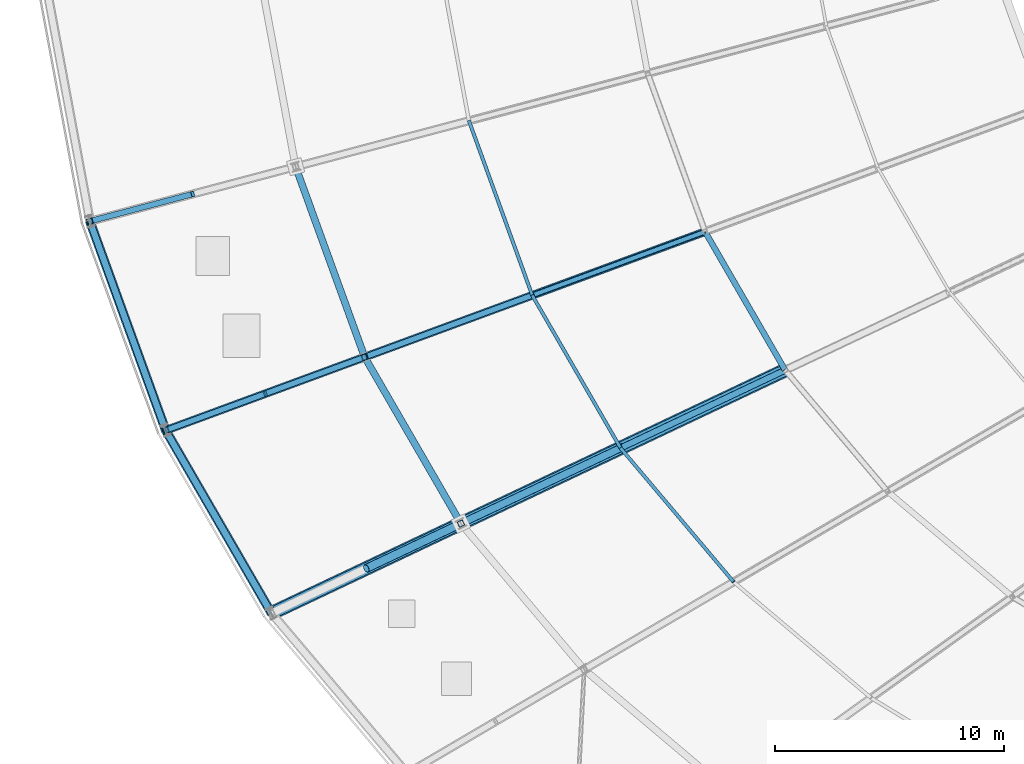
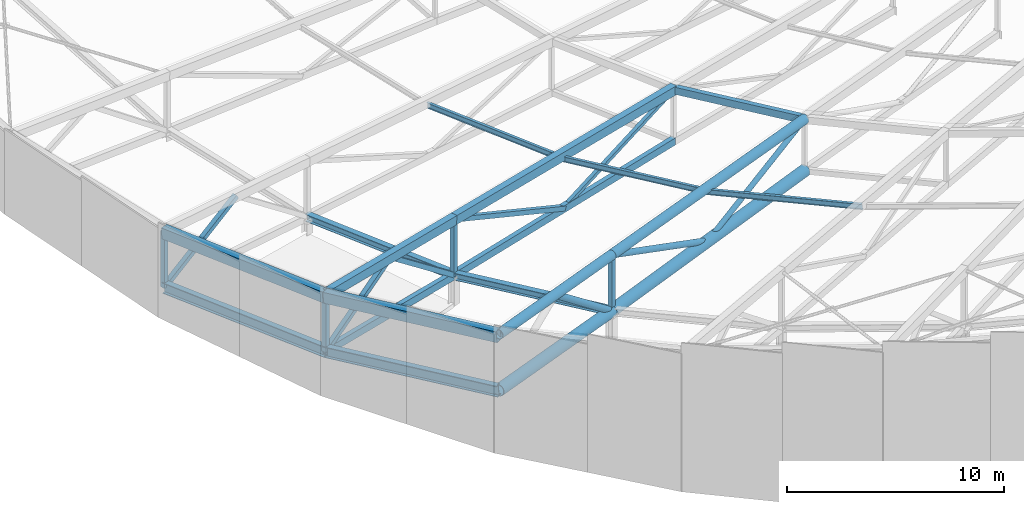
# One storey, part 22 of 143: 15 beams, 15 members.
"""IFC4 building model written with IfcOpenShell, lengths in metres."""

import ifcopenshell
import ifcopenshell.guid

model = None  # the IFC model being written
_history = None  # IfcOwnerHistory: only IFC2X3 demands one
_inside = {}  # id of a spatial element -> (the spatial element, [elements in it])
_under = {}  # id of a project, library or spatial element -> (it, [spatial elements below it])
_declared = {}  # id of a project -> (the project, [libraries it declares])
_typed = {}  # id of a type object -> (the type object, [elements of that type])
_made_of = {}  # id of a material, layer set ... -> (it, [elements and type objects made of it])


def new_model(schema):
    """Start an empty IFC model of exactly this schema.

    Asked for "IFC4X3", IfcOpenShell would pick the latest addendum, in which some entities
    have other attributes; the version numbers below select the first issue.
    IFC2X3 requires an IfcOwnerHistory on every rooted entity: one is made here for all.
    """
    global model, _history
    if schema == "IFC4X3":
        model = ifcopenshell.file(schema_version=(4, 3, 0, 0))
    else:
        model = ifcopenshell.file(schema=schema)
    _inside.clear()
    _under.clear()
    _declared.clear()
    _typed.clear()
    _made_of.clear()
    _history = None
    if model.schema == "IFC2X3":
        org = make("IfcOrganization", Name="unknown")
        user = make(
            "IfcPersonAndOrganization",
            ThePerson=make("IfcPerson", FamilyName="unknown"),
            TheOrganization=org,
        )
        app = make(
            "IfcApplication",
            ApplicationDeveloper=org,
            Version="unknown",
            ApplicationFullName="unknown",
            ApplicationIdentifier="unknown",
        )
        _history = make(
            "IfcOwnerHistory",
            OwningUser=user,
            OwningApplication=app,
            ChangeAction="ADDED",
            CreationDate=0,
        )
    return model


def make(cls, **values):
    """One entity of the class cls with the attributes given. An attribute that is None is left unset."""
    return model.create_entity(
        cls, **{name: value for name, value in values.items() if value is not None}
    )


def rooted(cls, **values):
    """An entity with a GlobalId (a new one), such as an element, a storey or a relation."""
    return make(cls, GlobalId=ifcopenshell.guid.new(), OwnerHistory=_history, **values)


def si_unit(unit_type, name, prefix=None):
    """IfcSIUnit, for example si_unit("LENGTHUNIT", "METRE", prefix="MILLI")."""
    return make("IfcSIUnit", UnitType=unit_type, Prefix=prefix, Name=name)


def assignment(units):
    """IfcUnitAssignment: the units of a project."""
    return None if units is None else make("IfcUnitAssignment", Units=units)


def point(xyz):
    """IfcCartesianPoint."""
    return None if xyz is None else make("IfcCartesianPoint", Coordinates=xyz)


def direction(xyz):
    """IfcDirection."""
    return None if xyz is None else make("IfcDirection", DirectionRatios=xyz)


def frame(location, z_axis=None, x_axis=None):
    """IfcAxis2Placement3D, a coordinate frame: its origin and axes. An axis left out is left unset."""
    return make(
        "IfcAxis2Placement3D",
        Location=point(location),
        Axis=direction(z_axis),
        RefDirection=direction(x_axis),
    )


def frame_2d(location, x_axis=None):
    """IfcAxis2Placement2D, a coordinate frame in the plane: its origin and x axis."""
    return make(
        "IfcAxis2Placement2D", Location=point(location), RefDirection=direction(x_axis)
    )


def origin():
    """The frame at (0, 0, 0) with its axes left unset."""
    return frame((0.0, 0.0, 0.0))


def origin_2d():
    """The frame at (0, 0) in the plane with its x axis left unset."""
    return frame_2d((0.0, 0.0))


def place(relative_to, where):
    """IfcLocalPlacement: puts the frame where relative to a parent placement (None: the world)."""
    return make(
        "IfcLocalPlacement", PlacementRelTo=relative_to, RelativePlacement=where
    )


def context(
    kind, dimensions, precision=None, world=None, true_north=None, identifier=None
):
    """IfcGeometricRepresentationContext, for example the 3D "Model" context."""
    return make(
        "IfcGeometricRepresentationContext",
        ContextIdentifier=identifier,
        ContextType=kind,
        CoordinateSpaceDimension=dimensions,
        Precision=precision,
        WorldCoordinateSystem=world,
        TrueNorth=true_north,
    )


def subcontext(parent, identifier, kind, view, scale=None):
    """IfcGeometricRepresentationSubContext, for example "Body" below "Model"."""
    return make(
        "IfcGeometricRepresentationSubContext",
        ContextIdentifier=identifier,
        ContextType=kind,
        ParentContext=parent,
        TargetScale=scale,
        TargetView=view,
    )


def project(units=None, contexts=None):
    """IfcProject with its units and contexts."""
    return rooted(
        "IfcProject",
        Name="project",
        RepresentationContexts=contexts,
        UnitsInContext=assignment(units),
    )


def spatial(cls, under=None, at=None, **own):
    """A site, building, storey or space (cls), placed at a placement, below another one or the project."""
    s = rooted(cls, ObjectPlacement=at, **own)
    if under is not None:
        _under.setdefault(under.id(), (under, []))[1].append(s)
    return s


def profile(cls, at=None, kind="AREA", **sizes):
    """A parametric profile (cls). Its sizes go by their IFC names, for example OverallWidth=200.0."""
    return make(cls, ProfileType=kind, Position=at, **sizes)


def hollow_rectangle(**sizes):
    """IfcRectangleHollowProfileDef."""
    return profile("IfcRectangleHollowProfileDef", **sizes)


def hollow_circle(**sizes):
    """IfcCircleHollowProfileDef."""
    return profile("IfcCircleHollowProfileDef", **sizes)


def i_section(**sizes):
    """IfcIShapeProfileDef."""
    return profile("IfcIShapeProfileDef", **sizes)


def extrude(swept, where, along, depth):
    """IfcExtrudedAreaSolid: the profile swept, set in the frame where, extruded along a direction by depth."""
    return make(
        "IfcExtrudedAreaSolid",
        SweptArea=swept,
        Position=where,
        ExtrudedDirection=direction(along),
        Depth=depth,
    )


def shape(context_of_items, identifier, shape_type, items):
    """IfcShapeRepresentation: the items that make up one representation, for example the "Body"."""
    return make(
        "IfcShapeRepresentation",
        ContextOfItems=context_of_items,
        RepresentationIdentifier=identifier,
        RepresentationType=shape_type,
        Items=items,
    )


def material(Name=None, Category=None):
    """IfcMaterial."""
    return make("IfcMaterial", Name=Name, Category=Category)


def material_profile(
    of_material, cross_section, Name=None, Category=None, Priority=None
):
    """IfcMaterialProfile: a cross section and its material."""
    return make(
        "IfcMaterialProfile",
        Name=Name,
        Material=of_material,
        Profile=cross_section,
        Priority=Priority,
        Category=Category,
    )


def profile_set(profiles, Name=None, composite=None):
    """IfcMaterialProfileSet."""
    return make(
        "IfcMaterialProfileSet",
        Name=Name,
        MaterialProfiles=profiles,
        CompositeProfile=composite,
    )


def made_of(thing, what):
    """Note that an element or type object is made of a material, layer set ...; save() writes the relation."""
    if what is not None:
        _made_of.setdefault(what.id(), (what, []))[1].append(thing)
    return thing


def type_object(cls, material=None, **own):
    """A type object (cls), such as IfcWallType, which elements share."""
    return made_of(rooted(cls, **own), material)


def element(
    cls,
    number,
    at=None,
    inside=None,
    cuts=None,
    type_object=None,
    material=None,
    context=None,
    identifier="Body",
    shape_type=None,
    held_by="IfcProductDefinitionShape",
    body=None,
    shapes=None,
    **own,
):
    """One element of the class cls, such as IfcWall. Its Tag is "e" and its number.

    at: its placement. inside: the storey or other place that contains it. cuts: it is an
    opening in that element (IfcRelVoidsElement). A single representation is given by context,
    identifier, shape_type and body (its items); several are given by shapes. held_by: the class
    of the entity that holds the representations. save() writes the other relations.
    """
    e = rooted(cls, Tag="e%d" % number, ObjectPlacement=at, **own)
    if body is not None:
        shapes = [shape(context, identifier, shape_type, body)]
    if shapes is not None:
        e.Representation = make(held_by, Representations=shapes)
    if inside is not None:
        _inside.setdefault(inside.id(), (inside, []))[1].append(e)
    if cuts is not None:
        rooted(
            "IfcRelVoidsElement", RelatingBuildingElement=cuts, RelatedOpeningElement=e
        )
    if type_object is not None:
        _typed.setdefault(type_object.id(), (type_object, []))[1].append(e)
    return made_of(e, material)


def aggregate(whole, parts):
    """IfcRelAggregates: a whole, such as a stair, and the parts it consists of."""
    return rooted("IfcRelAggregates", RelatingObject=whole, RelatedObjects=parts)


def save(model, path):
    """Write the relations noted so far, then the file.

    IfcRelAggregates (storeys below a building ...), IfcRelContainedInSpatialStructure (elements
    in a storey), IfcRelDefinesByType, IfcRelAssociatesMaterial and IfcRelDeclares: one each for
    every whole, place, type object, material and project.
    """
    for whole, parts in _under.values():
        aggregate(whole, parts)
    for where, things in _inside.values():
        rooted(
            "IfcRelContainedInSpatialStructure",
            RelatedElements=things,
            RelatingStructure=where,
        )
    for kind, things in _typed.values():
        rooted("IfcRelDefinesByType", RelatedObjects=things, RelatingType=kind)
    for what, things in _made_of.values():
        rooted("IfcRelAssociatesMaterial", RelatedObjects=things, RelatingMaterial=what)
    for by, libraries in _declared.values():
        rooted("IfcRelDeclares", RelatingContext=by, RelatedDefinitions=libraries)
    model.write(path)


model = new_model("IFC4")

# Units and contexts
model_context = context("Model", 3, precision=1e-05, world=origin(), true_north=direction((0.0, 1.0)))
body_context = subcontext(model_context, "Body", "Model", "MODEL_VIEW")
ifc_project = project(units=[si_unit("LENGTHUNIT", "METRE"), si_unit("AREAUNIT", "SQUARE_METRE"), si_unit("VOLUMEUNIT", "CUBIC_METRE"), si_unit("PLANEANGLEUNIT", "RADIAN"), si_unit("MASSUNIT", "GRAM", prefix="KILO")], contexts=[model_context])

# Site, building, storey
site_placement = place(None, origin())
site = spatial("IfcSite", under=ifc_project, at=site_placement, CompositionType="ELEMENT")
building_placement = place(site_placement, origin())
building = spatial("IfcBuilding", under=site, at=building_placement, Name="Mphavela Belvedere Stadium", CompositionType="ELEMENT")
storey_placement = place(building_placement, frame((0.0, 0.0, 28.800048828125)))
storey = spatial("IfcBuildingStorey", under=building, at=storey_placement, Name="RF", CompositionType="ELEMENT", Elevation=28.800048828125)

# Beams
ifc_material_1 = material(Name="Steel S355", Category="steel")
ifc_material_profile_1 = material_profile(ifc_material_1, hollow_rectangle(XDim=0.25, YDim=0.39990234375, WallThickness=0.01611328125, at=origin_2d()), Name="RHS 400x250x16")
ifc_profile_set_1 = profile_set([ifc_material_profile_1], Name="Steel S355")
beam_type_1 = type_object("IfcBeamType", Name="BM-RING-MID", PredefinedType="BEAM", material=ifc_profile_set_1)
beam_1_placement = place(storey_placement, frame((41.672607421875, 59.98583984375, 3.554443359375), z_axis=(0.497680338118, -0.860704872165, 0.107244599316), x_axis=(0.865697638818, 0.500567276343, 0.0)))
element("IfcBeam", 1, at=beam_1_placement, inside=storey, type_object=beam_type_1, Name="Intermediate roof ring beam RB-MID-28", PredefinedType="BEAM", context=body_context, shape_type="SweptSolid", body=[
    extrude(hollow_rectangle(XDim=0.25, YDim=0.39990234375, WallThickness=0.01611328125, at=origin_2d()), origin(), (0.0, 0.0, 1.0), 7.018310546875),
])
ifc_material_2 = material(Name="Steel S355", Category="steel")
ifc_material_profile_2 = material_profile(ifc_material_2, hollow_rectangle(XDim=0.39990234375, YDim=0.60009765625, WallThickness=0.02001953125, at=origin_2d()), Name="RHS 600x400x20")
ifc_profile_set_2 = profile_set([ifc_material_profile_2], Name="Steel S355")
beam_type_2 = type_object("IfcBeamType", Name="BM-RING-OUT", PredefinedType="BEAM", material=ifc_profile_set_2)
beam_2_placement = place(storey_placement, frame((14.83544921875, 60.4375, 4.649169921875), z_axis=(0.339968578653, -0.93716524652, 0.078375163435), x_axis=(0.94005692197, 0.341017570596, 0.0)))
element("IfcBeam", 2, at=beam_2_placement, inside=storey, type_object=beam_type_2, Name="Perimeter compression ring beam RB-OUT-27", PredefinedType="BEAM", context=body_context, shape_type="SweptSolid", body=[
    extrude(hollow_rectangle(XDim=0.39990234375, YDim=0.60009765625, WallThickness=0.02001953125, at=origin_2d()), origin(), (0.0, 0.0, 1.0), 9.7314453125),
])
beam_3_placement = place(storey_placement, frame((18.143798828125, 51.317626953125, 5.411865234375), z_axis=(0.49767882815, -0.8607068018, 0.107236119601), x_axis=(0.865698783248, 0.500565297122, 0.0)))
element("IfcBeam", 3, at=beam_3_placement, inside=storey, type_object=beam_type_2, Name="Perimeter compression ring beam RB-OUT-28", PredefinedType="BEAM", context=body_context, shape_type="SweptSolid", body=[
    extrude(hollow_rectangle(XDim=0.39990234375, YDim=0.60009765625, WallThickness=0.02001953125, at=origin_2d()), origin(), (0.0, 0.0, 1.0), 9.2705078125),
])
ifc_material_3 = material(Name="Steel S355", Category="steel")
ifc_material_profile_3 = material_profile(ifc_material_3, i_section(OverallWidth=0.300048828125, OverallDepth=0.39990234375, WebThickness=0.013427734375, FlangeThickness=0.02392578125, at=origin_2d()), Name="HEB 400")
ifc_profile_set_3 = profile_set([ifc_material_profile_3], Name="Steel S355")
beam_type_3 = type_object("IfcBeamType", Name="BM-STEEL-HEB400", PredefinedType="BEAM", material=ifc_profile_set_3)
beam_4_placement = place(storey_placement, frame((23.8125, 62.818115234375, 0.916748046875), z_axis=(0.339980753487, -0.937158586677, 0.07840198133), x_axis=(0.940052229987, 0.341030504348, 0.0)))
element("IfcBeam", 4, at=beam_4_placement, inside=storey, type_object=beam_type_3, Name="Roof bottom-chord tie girder R3-27", PredefinedType="BEAM", context=body_context, shape_type="SweptSolid", body=[
    extrude(i_section(OverallWidth=0.300048828125, OverallDepth=0.39990234375, WebThickness=0.013427734375, FlangeThickness=0.02392578125, at=origin_2d()), origin(), (0.0, 0.0, 1.0), 8.859130859375),
])
beam_5_placement = place(storey_placement, frame((26.824462890625, 54.515625, 1.611328125), z_axis=(0.497661073129, -0.860716730152, 0.107238830325), x_axis=(0.865709023765, 0.500547586322, 0.0)))
element("IfcBeam", 5, at=beam_5_placement, inside=storey, type_object=beam_type_3, Name="Roof bottom-chord tie girder R3-28", PredefinedType="BEAM", context=body_context, shape_type="SweptSolid", body=[
    extrude(i_section(OverallWidth=0.300048828125, OverallDepth=0.39990234375, WebThickness=0.013427734375, FlangeThickness=0.02392578125, at=origin_2d()), origin(), (0.0, 0.0, 1.0), 8.439453125),
])
ifc_material_4 = material(Name="Steel S355", Category="steel")
ifc_material_profile_4 = material_profile(ifc_material_4, i_section(OverallWidth=0.300048828125, OverallDepth=0.60009765625, WebThickness=0.015380859375, FlangeThickness=0.030029296875, at=origin_2d()), Name="HEB 600")
ifc_profile_set_4 = profile_set([ifc_material_profile_4], Name="Steel S355")
beam_type_4 = type_object("IfcBeamType", Name="BM-STEEL-HEB600", PredefinedType="BEAM", material=ifc_profile_set_4)
beam_6_placement = place(storey_placement, frame((14.83544921875, 60.4375, 1.553955078125), z_axis=(0.339967910074, -0.937163403499, 0.078400097335), x_axis=(0.94005692197, 0.341017570596, 0.0)))
element("IfcBeam", 6, at=beam_6_placement, inside=storey, type_object=beam_type_4, Name="Roof bottom-chord tie girder R4-27", PredefinedType="BEAM", context=body_context, shape_type="SweptSolid", body=[
    extrude(i_section(OverallWidth=0.300048828125, OverallDepth=0.60009765625, WebThickness=0.015380859375, FlangeThickness=0.030029296875, at=origin_2d()), origin(), (0.0, 0.0, 1.0), 9.7314453125),
])
beam_7_placement = place(storey_placement, frame((18.143798828125, 51.317626953125, 2.31689453125), z_axis=(0.49767882815, -0.8607068018, 0.107236119601), x_axis=(0.865698783248, 0.500565297122, 0.0)))
element("IfcBeam", 7, at=beam_7_placement, inside=storey, type_object=beam_type_4, Name="Roof bottom-chord tie girder R4-28", PredefinedType="BEAM", context=body_context, shape_type="SweptSolid", body=[
    extrude(i_section(OverallWidth=0.300048828125, OverallDepth=0.60009765625, WebThickness=0.015380859375, FlangeThickness=0.030029296875, at=origin_2d()), origin(), (0.0, 0.0, 1.0), 9.2705078125),
])
ifc_material_5 = material(Name="Steel S355", Category="steel")
ifc_material_profile_5 = material_profile(ifc_material_5, hollow_circle(Radius=0.304931640625, WallThickness=0.02490234375, at=origin_2d()), Name="CHS 610x25")
ifc_profile_set_5 = profile_set([ifc_material_profile_5], Name="Steel S355")
beam_type_5 = type_object("IfcBeamType", Name="BM-TRUSS-BC1", PredefinedType="BEAM", material=ifc_profile_set_5)
beam_8_placement = place(storey_placement, frame((22.757568359375, 43.33837890625, 3.31103515625), z_axis=(0.900453046882, 0.426253267431, -0.086559010886), x_axis=(-0.427859140325, 0.903845427073, 0.0)))
element("IfcBeam", 8, at=beam_8_placement, inside=storey, type_object=beam_type_5, Name="Radial roof truss RT-29 bottom chord 1", PredefinedType="BEAM", context=body_context, shape_type="SweptSolid", body=[
    extrude(hollow_circle(Radius=0.304931640625, WallThickness=0.02490234375, at=origin_2d()), origin(), (0.0, 0.0, 1.0), 9.1806640625),
])
beam_9_placement = place(storey_placement, frame((31.0244140625, 47.251708984375, 2.516357421875), z_axis=(0.901600208715, 0.426750998276, -0.070715267915), x_axis=(-0.427822032856, 0.903862991942, 0.0)))
element("IfcBeam", 9, at=beam_9_placement, inside=storey, type_object=beam_type_5, Name="Radial roof truss RT-29 bottom chord 2", PredefinedType="BEAM", context=body_context, shape_type="SweptSolid", body=[
    extrude(hollow_circle(Radius=0.304931640625, WallThickness=0.02490234375, at=origin_2d()), origin(), (0.0, 0.0, 1.0), 15.6845703125),
])
ifc_material_6 = material(Name="Steel S355", Category="steel")
ifc_material_profile_6 = material_profile(ifc_material_6, hollow_rectangle(XDim=0.25, YDim=0.39990234375, WallThickness=0.01611328125, at=origin_2d()), Name="RHS 400x250x16")
ifc_profile_set_6 = profile_set([ifc_material_profile_6], Name="Steel S355")
beam_type_6 = type_object("IfcBeamType", Name="BM-TRUSS-BC2", PredefinedType="BEAM", material=ifc_profile_set_6)
beam_10_placement = place(storey_placement, frame((18.143798828125, 51.317626953125, 2.31689453125), z_axis=(0.935630744709, 0.344690829254, -0.076048285865), x_axis=(-0.345691905967, 0.938348073025, 0.0)))
element("IfcBeam", 10, at=beam_10_placement, inside=storey, type_object=beam_type_6, Name="Radial roof truss RT-28 bottom chord 1", PredefinedType="BEAM", context=body_context, shape_type="SweptSolid", body=[
    extrude(hollow_rectangle(XDim=0.25, YDim=0.39990234375, WallThickness=0.01611328125, at=origin_2d()), origin(), (0.0, 0.0, 1.0), 9.27783203125),
])
beam_11_placement = place(storey_placement, frame((26.824462890625, 54.515625, 1.611328125), z_axis=(0.936635644943, 0.345066563527, -0.060355077321), x_axis=(-0.345696778918, 0.938346277792, 0.0)))
element("IfcBeam", 11, at=beam_11_placement, inside=storey, type_object=beam_type_6, Name="Radial roof truss RT-28 bottom chord 2", PredefinedType="BEAM", context=body_context, shape_type="SweptSolid", body=[
    extrude(hollow_rectangle(XDim=0.25, YDim=0.39990234375, WallThickness=0.01611328125, at=origin_2d()), origin(), (0.0, 0.0, 1.0), 15.8525390625),
])
ifc_material_7 = material(Name="Steel S355", Category="steel")
ifc_material_profile_7 = material_profile(ifc_material_7, hollow_circle(Radius=0.25390625, WallThickness=0.02490234375, at=origin_2d()), Name="CHS 508x25")
ifc_profile_set_7 = profile_set([ifc_material_profile_7], Name="Steel S355")
beam_type_7 = type_object("IfcBeamType", Name="BM-TRUSS-TC1", PredefinedType="BEAM", material=ifc_profile_set_7)
beam_12_placement = place(storey_placement, frame((22.757568359375, 43.33837890625, 6.4609375), z_axis=(0.900453046882, 0.426253267431, -0.086559010886), x_axis=(-0.427859140325, 0.903845427073, 0.0)))
element("IfcBeam", 12, at=beam_12_placement, inside=storey, type_object=beam_type_7, Name="Radial roof truss RT-29 top chord 1", PredefinedType="BEAM", context=body_context, shape_type="SweptSolid", body=[
    extrude(hollow_circle(Radius=0.25390625, WallThickness=0.02490234375, at=origin_2d()), origin(), (0.0, 0.0, 1.0), 9.1806640625),
])
beam_13_placement = place(storey_placement, frame((31.0244140625, 47.251708984375, 5.666259765625), z_axis=(0.900471557022, 0.426216777862, -0.086546133731), x_axis=(-0.427822032856, 0.903862991942, 0.0)))
element("IfcBeam", 13, at=beam_13_placement, inside=storey, type_object=beam_type_7, Name="Radial roof truss RT-29 top chord 2", PredefinedType="BEAM", context=body_context, shape_type="SweptSolid", body=[
    extrude(hollow_circle(Radius=0.25390625, WallThickness=0.02490234375, at=origin_2d()), origin(), (0.0, 0.0, 1.0), 15.7041015625),
])
ifc_material_8 = material(Name="Steel S355", Category="steel")
ifc_material_profile_8 = material_profile(ifc_material_8, hollow_rectangle(XDim=0.35009765625, YDim=0.5, WallThickness=0.02001953125, at=origin_2d()), Name="RHS 500x350x20")
ifc_profile_set_8 = profile_set([ifc_material_profile_8], Name="Steel S355")
beam_type_8 = type_object("IfcBeamType", Name="BM-TRUSS-TC2", PredefinedType="BEAM", material=ifc_profile_set_8)
beam_14_placement = place(storey_placement, frame((18.143798828125, 51.317626953125, 5.466796875), z_axis=(0.935630744709, 0.344690829254, -0.076048285865), x_axis=(-0.345691905967, 0.938348073025, 0.0)))
element("IfcBeam", 14, at=beam_14_placement, inside=storey, type_object=beam_type_8, Name="Radial roof truss RT-28 top chord 1", PredefinedType="BEAM", context=body_context, shape_type="SweptSolid", body=[
    extrude(hollow_rectangle(XDim=0.35009765625, YDim=0.5, WallThickness=0.02001953125, at=origin_2d()), origin(), (0.0, 0.0, 1.0), 9.27783203125),
])
beam_15_placement = place(storey_placement, frame((26.824462890625, 54.515625, 4.76123046875), z_axis=(0.935629294796, 0.344695813397, -0.076043533233), x_axis=(-0.345696778918, 0.938346277792, 0.0)))
element("IfcBeam", 15, at=beam_15_placement, inside=storey, type_object=beam_type_8, Name="Radial roof truss RT-28 top chord 2", PredefinedType="BEAM", context=body_context, shape_type="SweptSolid", body=[
    extrude(hollow_rectangle(XDim=0.35009765625, YDim=0.5, WallThickness=0.02001953125, at=origin_2d()), origin(), (0.0, 0.0, 1.0), 15.86962890625),
])

# Members
ifc_material_9 = material(Name="Steel S355", Category="steel")
ifc_material_profile_9 = material_profile(ifc_material_9, hollow_circle(Radius=0.136474609375, WallThickness=0.012451171875, at=origin_2d()), Name="CHS 273x12.5")
ifc_profile_set_9 = profile_set([ifc_material_profile_9], Name="Steel S355")
member_type_1 = type_object("IfcMemberType", Name="MEM-DIAG-273", PredefinedType="BRACE", material=ifc_profile_set_9)
member_1_placement = place(storey_placement, frame((38.094970703125, 50.598388671875, 1.961669921875), z_axis=(0.86578394162, 0.40979822077, 0.287199555511), x_axis=(-0.427822032856, 0.903862991942, 0.0)))
element("IfcMember", 16, at=member_1_placement, inside=storey, type_object=member_type_1, Name="Radial roof truss RT-29 web diagonal D4", PredefinedType="BRACE", context=body_context, shape_type="SweptSolid", body=[
    extrude(hollow_circle(Radius=0.136474609375, WallThickness=0.012451171875, at=origin_2d()), origin(), (0.0, 0.0, 1.0), 8.166748046875),
])
ifc_material_10 = material(Name="Steel S355", Category="steel")
ifc_material_profile_10 = material_profile(ifc_material_10, hollow_circle(Radius=0.161865234375, WallThickness=0.01611328125, at=origin_2d()), Name="CHS 323.9x16")
ifc_profile_set_10 = profile_set([ifc_material_profile_10], Name="Steel S355")
member_type_2 = type_object("IfcMemberType", Name="MEM-DIAG-324", PredefinedType="BRACE", material=ifc_profile_set_10)
member_2_placement = place(storey_placement, frame((31.0244140625, 47.251708984375, 5.666259765625), z_axis=(0.816889573167, 0.386655235281, -0.428006021313), x_axis=(-0.427822032856, 0.903862991942, 0.0)))
element("IfcMember", 17, at=member_2_placement, inside=storey, type_object=member_type_2, Name="Radial roof truss RT-29 web diagonal D3", PredefinedType="BRACE", context=body_context, shape_type="SweptSolid", body=[
    extrude(hollow_circle(Radius=0.161865234375, WallThickness=0.01611328125, at=origin_2d()), origin(), (0.0, 0.0, 1.0), 8.655517578125),
])
ifc_material_11 = material(Name="Steel S355", Category="steel")
ifc_material_profile_11 = material_profile(ifc_material_11, hollow_circle(Radius=0.177734375, WallThickness=0.01611328125, at=origin_2d()), Name="CHS 355.6x16")
ifc_profile_set_11 = profile_set([ifc_material_profile_11], Name="Steel S355")
member_type_3 = type_object("IfcMemberType", Name="MEM-DIAG-355", PredefinedType="BRACE", material=ifc_profile_set_11)
member_3_placement = place(storey_placement, frame((26.89111328125, 45.295166015625, 6.063720703125), z_axis=(0.714168011472, 0.338059211101, -0.612927419178), x_axis=(-0.427847656152, 0.903850863321, 0.0)))
element("IfcMember", 18, at=member_3_placement, inside=storey, type_object=member_type_3, Name="Radial roof truss RT-29 web diagonal D2", PredefinedType="BRACE", context=body_context, shape_type="SweptSolid", body=[
    extrude(hollow_circle(Radius=0.177734375, WallThickness=0.01611328125, at=origin_2d()), origin(), (0.0, 0.0, 1.0), 5.78759765625),
])
ifc_material_12 = material(Name="Steel S355", Category="steel")
ifc_material_profile_12 = material_profile(ifc_material_12, hollow_rectangle(XDim=0.199951171875, YDim=0.199951171875, WallThickness=0.010009765625, at=origin_2d()), Name="SHS 200x200x10")
ifc_profile_set_12 = profile_set([ifc_material_profile_12], Name="Steel S355")
member_type_4 = type_object("IfcMemberType", Name="MEM-POST-SHS200", PredefinedType="POST", material=ifc_profile_set_12)
member_4_placement = place(storey_placement, frame((34.24853515625, 57.250732421875, 1.133056640625), z_axis=(0.897266150481, 0.330562421778, 0.292646442845), x_axis=(-0.345696778918, 0.938346277792, 0.0)))
element("IfcMember", 19, at=member_4_placement, inside=storey, type_object=member_type_4, Name="Radial roof truss RT-28 web diagonal D4", PredefinedType="POST", context=body_context, shape_type="SweptSolid", body=[
    extrude(hollow_rectangle(XDim=0.199951171875, YDim=0.199951171875, WallThickness=0.010009765625, at=origin_2d()), origin(), (0.0, 0.0, 1.0), 8.274169921875),
])
ifc_material_13 = material(Name="Steel S355", Category="steel")
ifc_material_profile_13 = material_profile(ifc_material_13, hollow_rectangle(XDim=0.25, YDim=0.25, WallThickness=0.012451171875, at=origin_2d()), Name="SHS 250x250x12.5")
ifc_profile_set_13 = profile_set([ifc_material_profile_13], Name="Steel S355")
member_type_5 = type_object("IfcMemberType", Name="MEM-POST-SHS250", PredefinedType="POST", material=ifc_profile_set_13)
member_5_placement = place(storey_placement, frame((14.83544921875, 60.4375, 1.553955078125), z_axis=(0.0, 0.0, 1.0), x_axis=(-0.966600102017, -0.256289373133, 0.0)))
element("IfcMember", 20, at=member_5_placement, inside=storey, type_object=member_type_5, Name="Radial roof truss RT-27 post P1", PredefinedType="POST", context=body_context, shape_type="SweptSolid", body=[
    extrude(hollow_rectangle(XDim=0.25, YDim=0.25, WallThickness=0.012451171875, at=origin_2d()), origin(), (0.0, 0.0, 1.0), 3.150146484375),
])
member_6_placement = place(storey_placement, frame((14.83544921875, 60.4375, 1.553955078125), z_axis=(0.825271763283, 0.218830560022, 0.520614735412), x_axis=(-0.2563043837, 0.966596121912, 0.0)))
element("IfcMember", 21, at=member_6_placement, inside=storey, type_object=member_type_5, Name="Radial roof truss RT-27 web diagonal D1", PredefinedType="POST", context=body_context, shape_type="SweptSolid", body=[
    extrude(hollow_rectangle(XDim=0.25, YDim=0.25, WallThickness=0.012451171875, at=origin_2d()), origin(), (0.0, 0.0, 1.0), 5.43896484375),
])
for number, where, z_axis, x_axis, name in (
    (22, (18.143798828125, 51.317626953125, 2.31689453125), (0.0, 0.0, 1.0), (-0.938372433776, -0.34562577382, 0.0), "Radial roof truss RT-28 post P1"),
    (23, (26.824462890625, 54.515625, 1.611328125), (0.0, 0.0, 1.0), (-0.938372433776, -0.34562577382, 0.0), "Radial roof truss RT-28 post P2"),
):
    element("IfcMember", number, at=place(storey_placement, frame(where, z_axis=z_axis, x_axis=x_axis)), inside=storey, type_object=member_type_5, Name=name, PredefinedType="POST", context=body_context, shape_type="SweptSolid", body=[
        extrude(hollow_rectangle(XDim=0.25, YDim=0.25, WallThickness=0.012451171875, at=origin_2d()), origin(), (0.0, 0.0, 1.0), 3.14990234375),
    ])
member_7_placement = place(storey_placement, frame((18.143798828125, 51.317626953125, 2.31689453125), z_axis=(0.80294578517, 0.295831639828, 0.517456961452), x_axis=(-0.345715142592, 0.938339512214, 0.0)))
element("IfcMember", 24, at=member_7_placement, inside=storey, type_object=member_type_5, Name="Radial roof truss RT-28 web diagonal D1", PredefinedType="POST", context=body_context, shape_type="SweptSolid", body=[
    extrude(hollow_rectangle(XDim=0.25, YDim=0.25, WallThickness=0.012451171875, at=origin_2d()), origin(), (0.0, 0.0, 1.0), 5.405517578125),
])
member_8_placement = place(storey_placement, frame((22.484130859375, 52.916748046875, 5.114013671875), z_axis=(0.748069688663, 0.275571402354, -0.603698718823), x_axis=(-0.345668668705, 0.938356633416, 0.0)))
element("IfcMember", 25, at=member_8_placement, inside=storey, type_object=member_type_5, Name="Radial roof truss RT-28 web diagonal D2", PredefinedType="POST", context=body_context, shape_type="SweptSolid", body=[
    extrude(hollow_rectangle(XDim=0.25, YDim=0.25, WallThickness=0.012451171875, at=origin_2d()), origin(), (0.0, 0.0, 1.0), 5.802001953125),
])
member_9_placement = place(storey_placement, frame((26.824462890625, 54.515625, 4.76123046875), z_axis=(0.852939960364, 0.314232180472, -0.416835172185), x_axis=(-0.345696778918, 0.938346277792, 0.0)))
element("IfcMember", 26, at=member_9_placement, inside=storey, type_object=member_type_5, Name="Radial roof truss RT-28 web diagonal D3", PredefinedType="POST", context=body_context, shape_type="SweptSolid", body=[
    extrude(hollow_rectangle(XDim=0.25, YDim=0.25, WallThickness=0.012451171875, at=origin_2d()), origin(), (0.0, 0.0, 1.0), 8.7041015625),
])
member_10_placement = place(storey_placement, frame((31.0244140625, 47.251708984375, 2.516357421875), z_axis=(0.0, 0.0, 1.0), x_axis=(-0.903858661687, -0.4278311813, 0.0)))
element("IfcMember", 27, at=member_10_placement, inside=storey, type_object=member_type_5, Name="Radial roof truss RT-29 post P2", PredefinedType="POST", context=body_context, shape_type="SweptSolid", body=[
    extrude(hollow_rectangle(XDim=0.25, YDim=0.25, WallThickness=0.012451171875, at=origin_2d()), origin(), (0.0, 0.0, 1.0), 3.14990234375),
])
ifc_material_14 = material(Name="Steel S355", Category="steel")
ifc_material_profile_14 = material_profile(ifc_material_14, i_section(OverallWidth=0.14990234375, OverallDepth=0.300048828125, WebThickness=0.007080078125, FlangeThickness=0.0107421875, at=origin_2d()), Name="IPE 300")
ifc_profile_set_14 = profile_set([ifc_material_profile_14], Name="Steel S355")
member_type_6 = type_object("IfcMemberType", Name="MEM-PURLIN-IPE300", PredefinedType="PURLIN", material=ifc_profile_set_14)
member_11_placement = place(storey_placement, frame((31.3720703125, 64.82275390625, 3.34033203125), z_axis=(0.339981739687, -0.937158433412, 0.078399536755), x_axis=(0.940051894968, 0.341031427828, 0.0)))
element("IfcMember", 28, at=member_11_placement, inside=storey, type_object=member_type_6, Name="Saddle canopy steel purlin 27-2", PredefinedType="PURLIN", context=body_context, shape_type="SweptSolid", body=[
    extrude(i_section(OverallWidth=0.14990234375, OverallDepth=0.300048828125, WebThickness=0.007080078125, FlangeThickness=0.0107421875, at=origin_2d()), origin(), (0.0, 0.0, 1.0), 8.12451171875),
])
member_12_placement = place(storey_placement, frame((34.13427734375, 57.208740234375, 3.977294921875), z_axis=(0.497656529019, -0.860718368977, 0.107246764193), x_axis=(0.865711417256, 0.500543446698, 0.0)))
element("IfcMember", 29, at=member_12_placement, inside=storey, type_object=member_type_6, Name="Saddle canopy steel purlin 28-2", PredefinedType="PURLIN", context=body_context, shape_type="SweptSolid", body=[
    extrude(i_section(OverallWidth=0.14990234375, OverallDepth=0.300048828125, WebThickness=0.007080078125, FlangeThickness=0.0107421875, at=origin_2d()), origin(), (0.0, 0.0, 1.0), 7.739990234375),
])
member_13_placement = place(storey_placement, frame((37.986083984375, 50.546875, 4.807373046875), z_axis=(0.640075923464, -0.757997993357, 0.125466546408), x_axis=(0.764035515933, 0.645174186087, 0.0)))
element("IfcMember", 30, at=member_13_placement, inside=storey, type_object=member_type_6, Name="Saddle canopy steel purlin 29-2", PredefinedType="PURLIN", context=body_context, shape_type="SweptSolid", body=[
    extrude(i_section(OverallWidth=0.14990234375, OverallDepth=0.300048828125, WebThickness=0.007080078125, FlangeThickness=0.0107421875, at=origin_2d()), origin(), (0.0, 0.0, 1.0), 7.70166015625),
])

save(model, "model.ifc")
